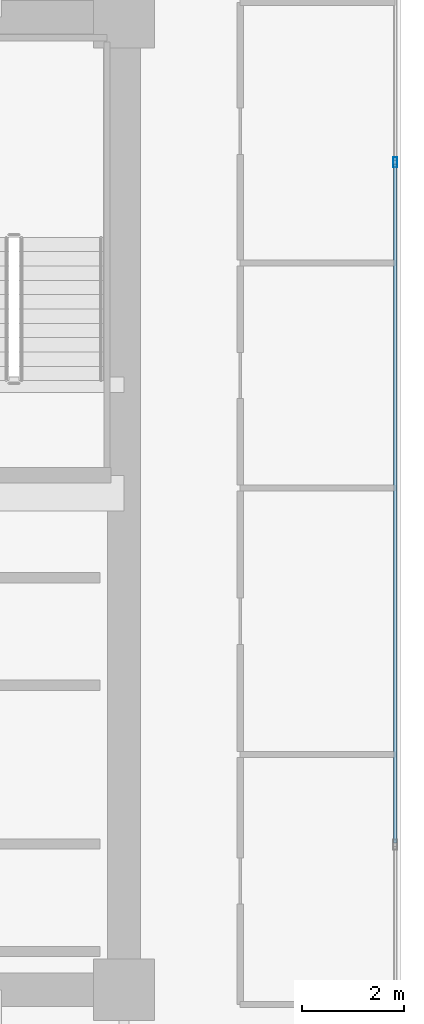
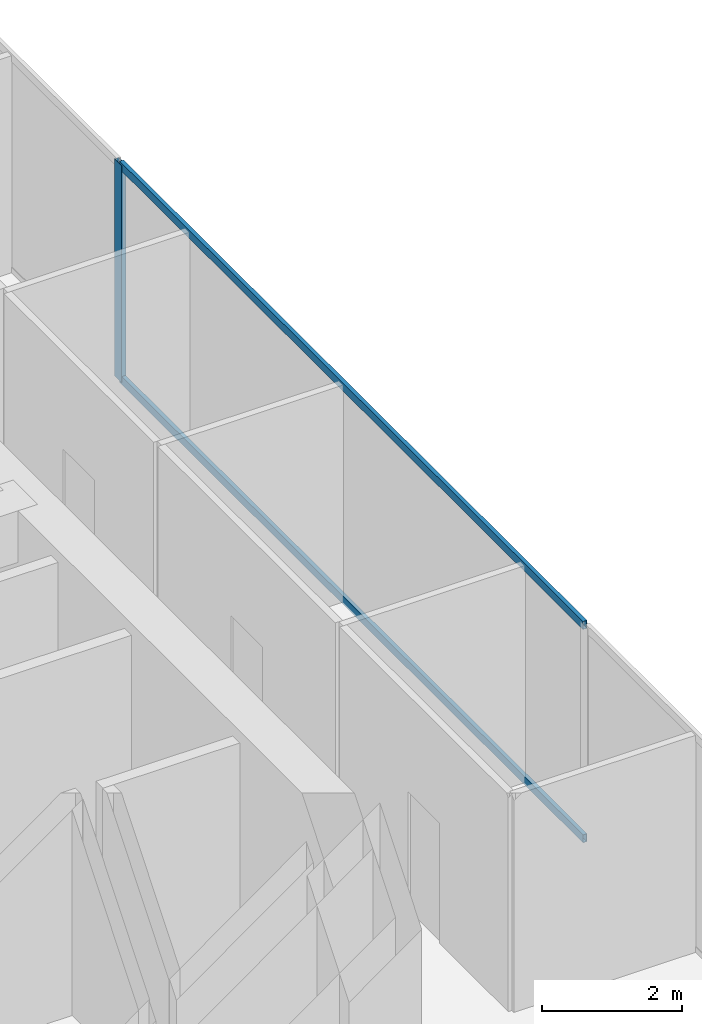
# One storey, part 22 of 30: 3 members, 1 element without a shape of its own.
"""IFC4 building model written with IfcOpenShell, lengths in metres."""

from ifc_helpers import new_model, si_unit, direction, frame, origin, origin_2d, place, context, subcontext, project, spatial, hollow_rectangle, extrude, source, transform, mapped, material, layer, layer_set, material_profile, profile_set, type_object, type_shapes, element, aggregate, save


model = new_model("IFC4")

# Units and contexts
model_context = context("Model", 3, precision=1e-05, world=origin(), true_north=direction((0.0, 1.0)))
body_context = subcontext(model_context, "Body", "Model", "MODEL_VIEW")
ifc_project = project(units=[si_unit("LENGTHUNIT", "METRE"), si_unit("AREAUNIT", "SQUARE_METRE"), si_unit("VOLUMEUNIT", "CUBIC_METRE"), si_unit("PLANEANGLEUNIT", "RADIAN"), si_unit("MASSUNIT", "GRAM", prefix="KILO")], contexts=[model_context])

# Site, building, storey
site_placement = place(None, origin())
site = spatial("IfcSite", under=ifc_project, at=site_placement, CompositionType="ELEMENT")
building_placement = place(site_placement, origin())
building = spatial("IfcBuilding", under=site, at=building_placement, Name="Haelvirn Gate Laboratories", CompositionType="ELEMENT")
storey_placement = place(building_placement, frame((0.0, 0.0, 105.10009765625)))
storey = spatial("IfcBuildingStorey", under=building, at=storey_placement, Name="L25", CompositionType="ELEMENT", Elevation=105.10009765625)

# Curtain wall, members
ifc_material_1 = material(Name="Anodised bronze unitised aluminium & triple low-E glass", Category="aluminium")
ifc_layer = layer(ifc_material_1, 0.179931640625, Name="CW-SYS-3")
ifc_layer_set = layer_set([ifc_layer], Name="Anodised bronze unitised aluminium & triple low-E glass")
curtain_wall_type = type_object("IfcCurtainWallType", Name="CW-SYS-3", PredefinedType="NOTDEFINED", material=ifc_layer_set)
curtain_wall_placement = place(storey_placement, origin())
curtain_wall = element("IfcCurtainWall", 1, at=curtain_wall_placement, inside=storey, type_object=curtain_wall_type, Name="L25 Unitised Curtain Wall CW-L25-P0-E07", PredefinedType="NOTDEFINED")
ifc_material_2 = material(Name="Extruded aluminium 6063-T6 (anodised bronze)", Category="aluminium")
ifc_material_profile_1 = material_profile(ifc_material_2, hollow_rectangle(XDim=0.06494140625, YDim=0.139892578125, WallThickness=0.00390625, at=origin_2d()), Name="CWT-140x65x4")
ifc_profile_set_1 = profile_set([ifc_material_profile_1], Name="Extruded aluminium 6063-T6 (anodised bronze)")
member_type_1 = type_object("IfcMemberType", Name="CWT-T140", PredefinedType="USERDEFINED", material=ifc_profile_set_1)
shared_shape_1 = source(origin(), body_context, "Body", "SweptSolid", [
    extrude(hollow_rectangle(XDim=0.06494140625, YDim=0.139892578125, WallThickness=0.00390625, at=origin_2d()), origin(), (0.0, 0.0, 1.0), 13.25830078125),
])
type_shapes(member_type_1, [shared_shape_1])
member_1_placement = place(storey_placement, frame((72.699951171875, 17.6708984375, 0.032470703125), z_axis=(0.0, 1.0, 0.0), x_axis=(-1.0, 0.0, 0.0)))
member_1 = element("IfcMember", 2, at=member_1_placement, type_object=member_type_1, Name="CW3 transom 2.1", ObjectType="TRANSOM", PredefinedType="USERDEFINED", context=body_context, shape_type="MappedRepresentation", body=[
    mapped(shared_shape_1, transform((0.0, 0.0, 0.0), scale=1.0)),
])
member_2_placement = place(storey_placement, frame((72.699951171875, 17.6708984375, 3.75732421875), z_axis=(0.0, 1.0, 0.0), x_axis=(-1.0, 0.0, 0.0)))
member_2 = element("IfcMember", 3, at=member_2_placement, type_object=member_type_1, Name="CW3 transom 2.2", ObjectType="TRANSOM", PredefinedType="USERDEFINED", context=body_context, shape_type="MappedRepresentation", body=[
    mapped(shared_shape_1, transform((0.0, 0.0, 0.0), scale=1.0)),
])
ifc_material_profile_2 = material_profile(ifc_material_2, hollow_rectangle(XDim=0.074951171875, YDim=0.199951171875, WallThickness=0.0048828125, at=origin_2d()), Name="CWM-200x75x5")
ifc_profile_set_2 = profile_set([ifc_material_profile_2], Name="Extruded aluminium 6063-T6 (anodised bronze)")
member_type_2 = type_object("IfcMemberType", Name="CWM-T200", PredefinedType="MULLION", material=ifc_profile_set_2)
shared_shape_2 = source(origin(), body_context, "Body", "SweptSolid", [
    extrude(hollow_rectangle(XDim=0.074951171875, YDim=0.199951171875, WallThickness=0.0048828125, at=origin_2d()), origin(), (0.0, 0.0, 1.0), 3.789794921875),
])
type_shapes(member_type_2, [shared_shape_2])
member_3_placement = place(storey_placement, frame((72.699951171875, 30.966552734375, 0.0), z_axis=(0.0, 0.0, 1.0), x_axis=(-1.0, 0.0, 0.0)))
member_3 = element("IfcMember", 4, at=member_3_placement, type_object=member_type_2, Name="CW3 mullion 3", PredefinedType="MULLION", context=body_context, shape_type="MappedRepresentation", body=[
    mapped(shared_shape_2, transform((0.0, 0.0, 0.0), scale=1.0)),
])
aggregate(curtain_wall, [member_3, member_1, member_2])

save(model, "model.ifc")
